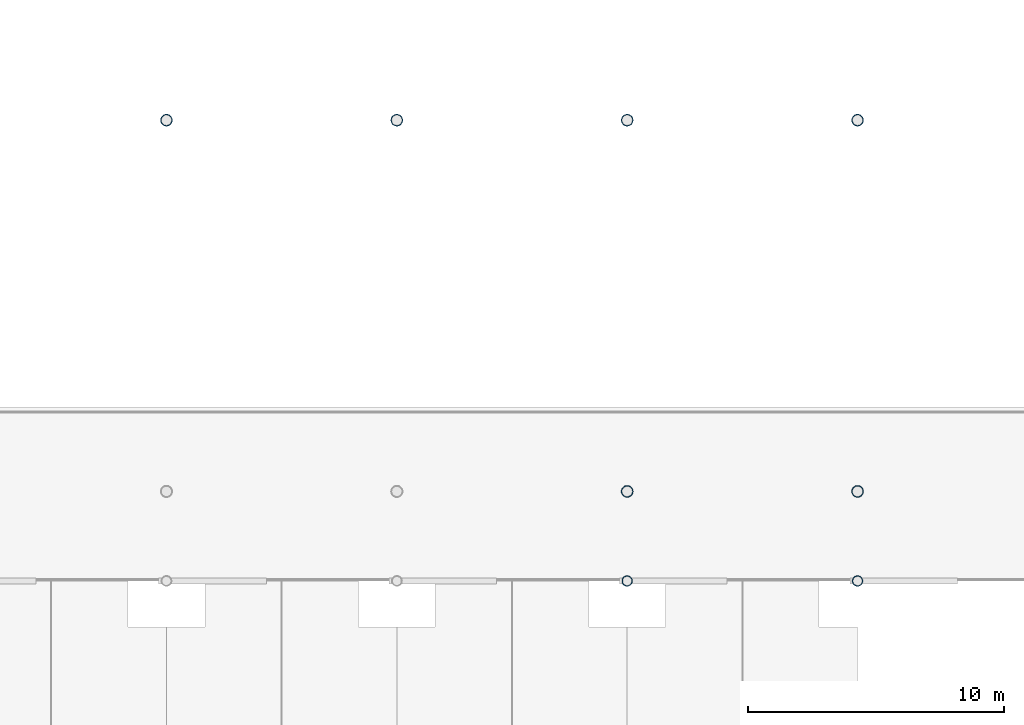
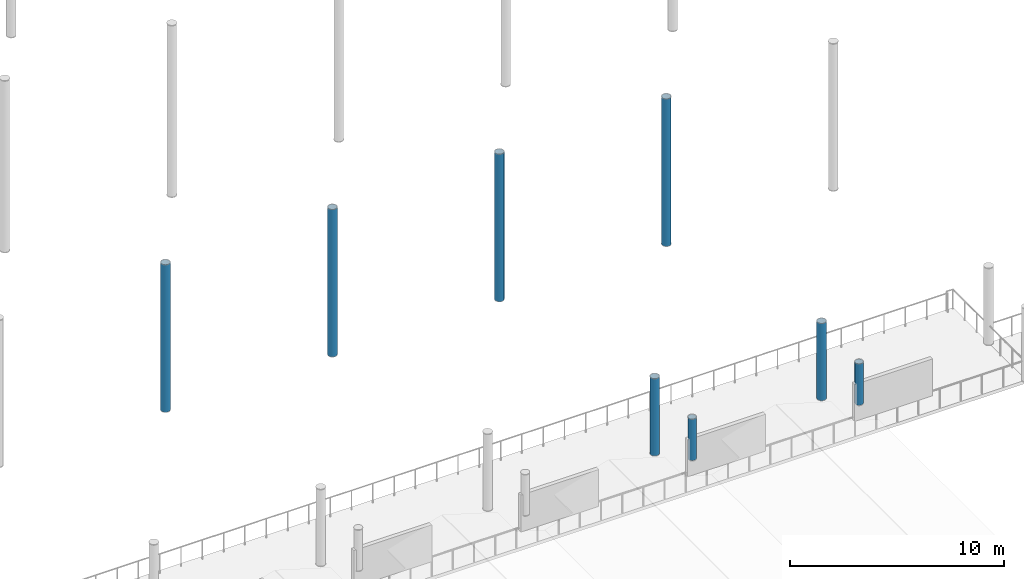
# One storey, part 2 of 143: 8 columns.
"""IFC4 building model written with IfcOpenShell, lengths in metres."""

from ifc_helpers import new_model, si_unit, direction, frame, origin, origin_2d, place, context, subcontext, project, spatial, hollow_circle, extrude, material, material_profile, profile_set, type_object, element, save


model = new_model("IFC4")

# Units and contexts
model_context = context("Model", 3, precision=1e-05, world=origin(), true_north=direction((0.0, 1.0)))
body_context = subcontext(model_context, "Body", "Model", "MODEL_VIEW")
ifc_project = project(units=[si_unit("LENGTHUNIT", "METRE"), si_unit("AREAUNIT", "SQUARE_METRE"), si_unit("VOLUMEUNIT", "CUBIC_METRE"), si_unit("PLANEANGLEUNIT", "RADIAN"), si_unit("MASSUNIT", "GRAM", prefix="KILO")], contexts=[model_context])

# Site, building, storey
site_placement = place(None, origin())
site = spatial("IfcSite", under=ifc_project, at=site_placement, CompositionType="ELEMENT")
building_placement = place(site_placement, origin())
building = spatial("IfcBuilding", under=site, at=building_placement, Name="Marlcrest Central Station", CompositionType="ELEMENT")
storey_placement = place(building_placement, frame((0.0, 0.0, 4.800048828125)))
storey = spatial("IfcBuildingStorey", under=building, at=storey_placement, Name="L01", CompositionType="ELEMENT", Elevation=4.800048828125)

# Columns
ifc_material = material(Name="Steel S355", Category="steel")
ifc_material_profile_1 = material_profile(ifc_material, hollow_circle(Radius=0.203125, WallThickness=0.02001953125, at=origin_2d()), Name="CHS 406.4x20")
ifc_profile_set_1 = profile_set([ifc_material_profile_1], Name="Steel S355")
column_type_1 = type_object("IfcColumnType", Name="SC-10", PredefinedType="COLUMN", material=ifc_profile_set_1)
for number, where, z_axis, x_axis, name in (
    (1, (54.0, 33.0, 1.83984375), (0.0, 0.0, 1.0), (1.0, 0.0, 0.0), "col-SC-10-L01-0409"),
    (2, (63.0, 33.0, 1.83984375), (0.0, 0.0, 1.0), (1.0, 0.0, 0.0), "col-SC-10-L01-0410"),
):
    element("IfcColumn", number, at=place(storey_placement, frame(where, z_axis=z_axis, x_axis=x_axis)), inside=storey, type_object=column_type_1, Name=name, PredefinedType="COLUMN", context=body_context, shape_type="SweptSolid", body=[
        extrude(hollow_circle(Radius=0.203125, WallThickness=0.02001953125, at=origin_2d()), origin(), (0.0, 0.0, 1.0), 2.360107421875),
    ])
ifc_material_profile_2 = material_profile(ifc_material, hollow_circle(Radius=0.228515625, WallThickness=0.02001953125, at=origin_2d()), Name="CHS 457x20")
ifc_profile_set_2 = profile_set([ifc_material_profile_2], Name="Steel S355")
column_type_2 = type_object("IfcColumnType", Name="SC-11", PredefinedType="COLUMN", material=ifc_profile_set_2)
for number, where, z_axis, x_axis, name in (
    (3, (36.0, 51.0, 0.0), (0.0, 0.0, 1.0), (1.0, 0.0, 0.0), "col-SC-11-L01-0455"),
    (4, (45.0, 51.0, 0.0), (0.0, 0.0, 1.0), (1.0, 0.0, 0.0), "col-SC-11-L01-0465"),
):
    element("IfcColumn", number, at=place(storey_placement, frame(where, z_axis=z_axis, x_axis=x_axis)), inside=storey, type_object=column_type_2, Name=name, PredefinedType="COLUMN", context=body_context, shape_type="SweptSolid", body=[
        extrude(hollow_circle(Radius=0.228515625, WallThickness=0.02001953125, at=origin_2d()), origin(), (0.0, 0.0, 1.0), 8.40380859375),
    ])
column_1_placement = place(storey_placement, frame((54.0, 36.5, 0.0), z_axis=(0.0, 0.0, 1.0), x_axis=(1.0, 0.0, 0.0)))
element("IfcColumn", 5, at=column_1_placement, inside=storey, type_object=column_type_2, Name="col-SC-11-L01-0473", PredefinedType="COLUMN", context=body_context, shape_type="SweptSolid", body=[
    extrude(hollow_circle(Radius=0.228515625, WallThickness=0.02001953125, at=origin_2d()), origin(), (0.0, 0.0, 1.0), 4.39990234375),
])
column_2_placement = place(storey_placement, frame((54.0, 51.0, 0.0), z_axis=(0.0, 0.0, 1.0), x_axis=(1.0, 0.0, 0.0)))
element("IfcColumn", 6, at=column_2_placement, inside=storey, type_object=column_type_2, Name="col-SC-11-L01-0475", PredefinedType="COLUMN", context=body_context, shape_type="SweptSolid", body=[
    extrude(hollow_circle(Radius=0.228515625, WallThickness=0.02001953125, at=origin_2d()), origin(), (0.0, 0.0, 1.0), 8.40380859375),
])
column_3_placement = place(storey_placement, frame((63.0, 36.5, 0.0), z_axis=(0.0, 0.0, 1.0), x_axis=(1.0, 0.0, 0.0)))
element("IfcColumn", 7, at=column_3_placement, inside=storey, type_object=column_type_2, Name="col-SC-11-L01-0483", PredefinedType="COLUMN", context=body_context, shape_type="SweptSolid", body=[
    extrude(hollow_circle(Radius=0.228515625, WallThickness=0.02001953125, at=origin_2d()), origin(), (0.0, 0.0, 1.0), 4.39990234375),
])
column_4_placement = place(storey_placement, frame((63.0, 51.0, 0.0), z_axis=(0.0, 0.0, 1.0), x_axis=(1.0, 0.0, 0.0)))
element("IfcColumn", 8, at=column_4_placement, inside=storey, type_object=column_type_2, Name="col-SC-11-L01-0485", PredefinedType="COLUMN", context=body_context, shape_type="SweptSolid", body=[
    extrude(hollow_circle(Radius=0.228515625, WallThickness=0.02001953125, at=origin_2d()), origin(), (0.0, 0.0, 1.0), 8.40380859375),
])

save(model, "model.ifc")
